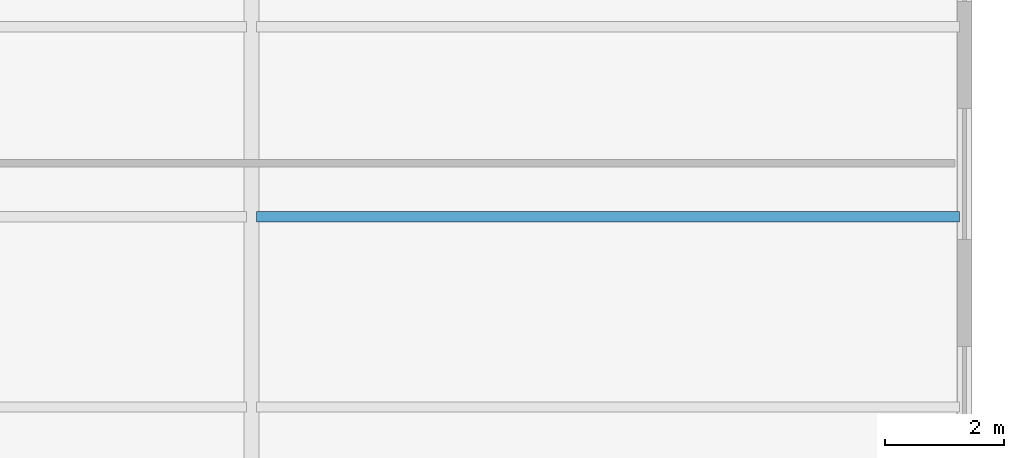
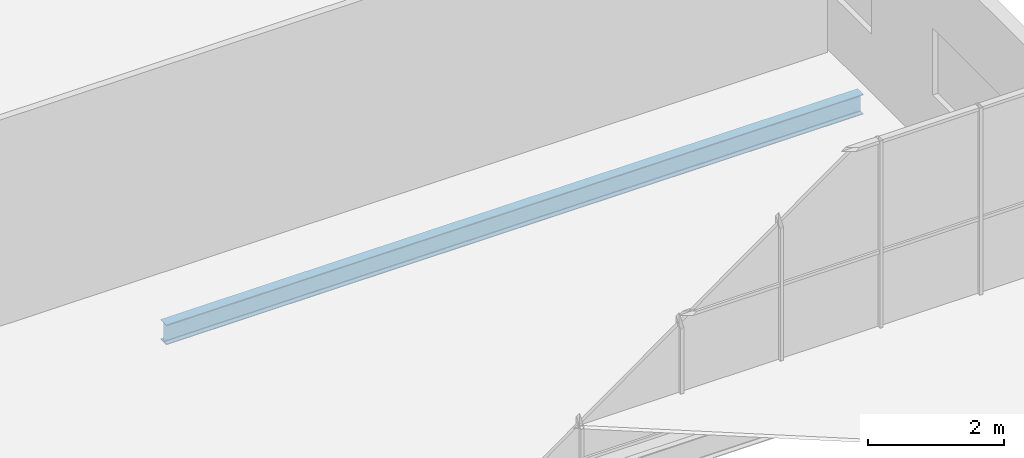
# One storey, part 190 of 324: 1 beam.
"""IFC4 building model written with IfcOpenShell, lengths in metres."""

import ifcopenshell
import ifcopenshell.guid

model = None  # the IFC model being written
_history = None  # IfcOwnerHistory: only IFC2X3 demands one
_inside = {}  # id of a spatial element -> (the spatial element, [elements in it])
_under = {}  # id of a project, library or spatial element -> (it, [spatial elements below it])
_declared = {}  # id of a project -> (the project, [libraries it declares])
_typed = {}  # id of a type object -> (the type object, [elements of that type])
_made_of = {}  # id of a material, layer set ... -> (it, [elements and type objects made of it])


def new_model(schema):
    """Start an empty IFC model of exactly this schema.

    Asked for "IFC4X3", IfcOpenShell would pick the latest addendum, in which some entities
    have other attributes; the version numbers below select the first issue.
    IFC2X3 requires an IfcOwnerHistory on every rooted entity: one is made here for all.
    """
    global model, _history
    if schema == "IFC4X3":
        model = ifcopenshell.file(schema_version=(4, 3, 0, 0))
    else:
        model = ifcopenshell.file(schema=schema)
    _inside.clear()
    _under.clear()
    _declared.clear()
    _typed.clear()
    _made_of.clear()
    _history = None
    if model.schema == "IFC2X3":
        org = make("IfcOrganization", Name="unknown")
        user = make(
            "IfcPersonAndOrganization",
            ThePerson=make("IfcPerson", FamilyName="unknown"),
            TheOrganization=org,
        )
        app = make(
            "IfcApplication",
            ApplicationDeveloper=org,
            Version="unknown",
            ApplicationFullName="unknown",
            ApplicationIdentifier="unknown",
        )
        _history = make(
            "IfcOwnerHistory",
            OwningUser=user,
            OwningApplication=app,
            ChangeAction="ADDED",
            CreationDate=0,
        )
    return model


def make(cls, **values):
    """One entity of the class cls with the attributes given. An attribute that is None is left unset."""
    return model.create_entity(
        cls, **{name: value for name, value in values.items() if value is not None}
    )


def rooted(cls, **values):
    """An entity with a GlobalId (a new one), such as an element, a storey or a relation."""
    return make(cls, GlobalId=ifcopenshell.guid.new(), OwnerHistory=_history, **values)


def si_unit(unit_type, name, prefix=None):
    """IfcSIUnit, for example si_unit("LENGTHUNIT", "METRE", prefix="MILLI")."""
    return make("IfcSIUnit", UnitType=unit_type, Prefix=prefix, Name=name)


def assignment(units):
    """IfcUnitAssignment: the units of a project."""
    return None if units is None else make("IfcUnitAssignment", Units=units)


def point(xyz):
    """IfcCartesianPoint."""
    return None if xyz is None else make("IfcCartesianPoint", Coordinates=xyz)


def direction(xyz):
    """IfcDirection."""
    return None if xyz is None else make("IfcDirection", DirectionRatios=xyz)


def frame(location, z_axis=None, x_axis=None):
    """IfcAxis2Placement3D, a coordinate frame: its origin and axes. An axis left out is left unset."""
    return make(
        "IfcAxis2Placement3D",
        Location=point(location),
        Axis=direction(z_axis),
        RefDirection=direction(x_axis),
    )


def frame_2d(location, x_axis=None):
    """IfcAxis2Placement2D, a coordinate frame in the plane: its origin and x axis."""
    return make(
        "IfcAxis2Placement2D", Location=point(location), RefDirection=direction(x_axis)
    )


def origin():
    """The frame at (0, 0, 0) with its axes left unset."""
    return frame((0.0, 0.0, 0.0))


def origin_2d():
    """The frame at (0, 0) in the plane with its x axis left unset."""
    return frame_2d((0.0, 0.0))


def place(relative_to, where):
    """IfcLocalPlacement: puts the frame where relative to a parent placement (None: the world)."""
    return make(
        "IfcLocalPlacement", PlacementRelTo=relative_to, RelativePlacement=where
    )


def context(
    kind, dimensions, precision=None, world=None, true_north=None, identifier=None
):
    """IfcGeometricRepresentationContext, for example the 3D "Model" context."""
    return make(
        "IfcGeometricRepresentationContext",
        ContextIdentifier=identifier,
        ContextType=kind,
        CoordinateSpaceDimension=dimensions,
        Precision=precision,
        WorldCoordinateSystem=world,
        TrueNorth=true_north,
    )


def subcontext(parent, identifier, kind, view, scale=None):
    """IfcGeometricRepresentationSubContext, for example "Body" below "Model"."""
    return make(
        "IfcGeometricRepresentationSubContext",
        ContextIdentifier=identifier,
        ContextType=kind,
        ParentContext=parent,
        TargetScale=scale,
        TargetView=view,
    )


def project(units=None, contexts=None):
    """IfcProject with its units and contexts."""
    return rooted(
        "IfcProject",
        Name="project",
        RepresentationContexts=contexts,
        UnitsInContext=assignment(units),
    )


def spatial(cls, under=None, at=None, **own):
    """A site, building, storey or space (cls), placed at a placement, below another one or the project."""
    s = rooted(cls, ObjectPlacement=at, **own)
    if under is not None:
        _under.setdefault(under.id(), (under, []))[1].append(s)
    return s


def profile(cls, at=None, kind="AREA", **sizes):
    """A parametric profile (cls). Its sizes go by their IFC names, for example OverallWidth=200.0."""
    return make(cls, ProfileType=kind, Position=at, **sizes)


def i_section(**sizes):
    """IfcIShapeProfileDef."""
    return profile("IfcIShapeProfileDef", **sizes)


def extrude(swept, where, along, depth):
    """IfcExtrudedAreaSolid: the profile swept, set in the frame where, extruded along a direction by depth."""
    return make(
        "IfcExtrudedAreaSolid",
        SweptArea=swept,
        Position=where,
        ExtrudedDirection=direction(along),
        Depth=depth,
    )


def shape(context_of_items, identifier, shape_type, items):
    """IfcShapeRepresentation: the items that make up one representation, for example the "Body"."""
    return make(
        "IfcShapeRepresentation",
        ContextOfItems=context_of_items,
        RepresentationIdentifier=identifier,
        RepresentationType=shape_type,
        Items=items,
    )


def material(Name=None, Category=None):
    """IfcMaterial."""
    return make("IfcMaterial", Name=Name, Category=Category)


def material_profile(
    of_material, cross_section, Name=None, Category=None, Priority=None
):
    """IfcMaterialProfile: a cross section and its material."""
    return make(
        "IfcMaterialProfile",
        Name=Name,
        Material=of_material,
        Profile=cross_section,
        Priority=Priority,
        Category=Category,
    )


def profile_set(profiles, Name=None, composite=None):
    """IfcMaterialProfileSet."""
    return make(
        "IfcMaterialProfileSet",
        Name=Name,
        MaterialProfiles=profiles,
        CompositeProfile=composite,
    )


def made_of(thing, what):
    """Note that an element or type object is made of a material, layer set ...; save() writes the relation."""
    if what is not None:
        _made_of.setdefault(what.id(), (what, []))[1].append(thing)
    return thing


def type_object(cls, material=None, **own):
    """A type object (cls), such as IfcWallType, which elements share."""
    return made_of(rooted(cls, **own), material)


def element(
    cls,
    number,
    at=None,
    inside=None,
    cuts=None,
    type_object=None,
    material=None,
    context=None,
    identifier="Body",
    shape_type=None,
    held_by="IfcProductDefinitionShape",
    body=None,
    shapes=None,
    **own,
):
    """One element of the class cls, such as IfcWall. Its Tag is "e" and its number.

    at: its placement. inside: the storey or other place that contains it. cuts: it is an
    opening in that element (IfcRelVoidsElement). A single representation is given by context,
    identifier, shape_type and body (its items); several are given by shapes. held_by: the class
    of the entity that holds the representations. save() writes the other relations.
    """
    e = rooted(cls, Tag="e%d" % number, ObjectPlacement=at, **own)
    if body is not None:
        shapes = [shape(context, identifier, shape_type, body)]
    if shapes is not None:
        e.Representation = make(held_by, Representations=shapes)
    if inside is not None:
        _inside.setdefault(inside.id(), (inside, []))[1].append(e)
    if cuts is not None:
        rooted(
            "IfcRelVoidsElement", RelatingBuildingElement=cuts, RelatedOpeningElement=e
        )
    if type_object is not None:
        _typed.setdefault(type_object.id(), (type_object, []))[1].append(e)
    return made_of(e, material)


def aggregate(whole, parts):
    """IfcRelAggregates: a whole, such as a stair, and the parts it consists of."""
    return rooted("IfcRelAggregates", RelatingObject=whole, RelatedObjects=parts)


def save(model, path):
    """Write the relations noted so far, then the file.

    IfcRelAggregates (storeys below a building ...), IfcRelContainedInSpatialStructure (elements
    in a storey), IfcRelDefinesByType, IfcRelAssociatesMaterial and IfcRelDeclares: one each for
    every whole, place, type object, material and project.
    """
    for whole, parts in _under.values():
        aggregate(whole, parts)
    for where, things in _inside.values():
        rooted(
            "IfcRelContainedInSpatialStructure",
            RelatedElements=things,
            RelatingStructure=where,
        )
    for kind, things in _typed.values():
        rooted("IfcRelDefinesByType", RelatedObjects=things, RelatingType=kind)
    for what, things in _made_of.values():
        rooted("IfcRelAssociatesMaterial", RelatedObjects=things, RelatingMaterial=what)
    for by, libraries in _declared.values():
        rooted("IfcRelDeclares", RelatingContext=by, RelatedDefinitions=libraries)
    model.write(path)


model = new_model("IFC4")

# Units and contexts
model_context = context("Model", 3, precision=1e-05, world=origin(), true_north=direction((0.0, 1.0)))
body_context = subcontext(model_context, "Body", "Model", "MODEL_VIEW")
ifc_project = project(units=[si_unit("LENGTHUNIT", "METRE"), si_unit("AREAUNIT", "SQUARE_METRE"), si_unit("VOLUMEUNIT", "CUBIC_METRE"), si_unit("PLANEANGLEUNIT", "RADIAN"), si_unit("MASSUNIT", "GRAM", prefix="KILO")], contexts=[model_context])

# Site, building, storey
site_placement = place(None, origin())
site = spatial("IfcSite", under=ifc_project, at=site_placement, CompositionType="ELEMENT")
building_placement = place(site_placement, origin())
building = spatial("IfcBuilding", under=site, at=building_placement, Name="Solvenia Promenade Tram Depot", CompositionType="ELEMENT")
storey_placement = place(building_placement, frame((0.0, 0.0, 4.5)))
storey = spatial("IfcBuildingStorey", under=building, at=storey_placement, Name="L01", CompositionType="ELEMENT", Elevation=4.5)

# Beam
ifc_material = material(Name="Structural steel ASTM A992 Gr. 50", Category="steel")
ifc_material_profile = material_profile(ifc_material, i_section(OverallWidth=0.172119140625, OverallDepth=0.35791015625, WebThickness=0.0078125, FlangeThickness=0.01318359375, FilletRadius=0.010986328125, at=origin_2d()), Name="W360x57", Category="steel")
ifc_profile_set = profile_set([ifc_material_profile], Name="Structural steel ASTM A992 Gr. 50")
beam_type = type_object("IfcBeamType", Name="Joist-W360x57", PredefinedType="JOIST", material=ifc_profile_set)
beam_placement = place(storey_placement, frame((174.0849609375, 14.39990234375, -0.39892578125), z_axis=(1.0, 0.0, 0.0), x_axis=(0.0, 1.0, 0.0)))
element("IfcBeam", 1, at=beam_placement, inside=storey, type_object=beam_type, Name="Secondary Floor Joist BM-L01-0445", PredefinedType="JOIST", context=body_context, shape_type="SweptSolid", body=[
    extrude(i_section(OverallWidth=0.172119140625, OverallDepth=0.35791015625, WebThickness=0.0078125, FlangeThickness=0.01318359375, FilletRadius=0.010986328125, at=origin_2d()), origin(), (0.0, 0.0, 1.0), 11.830078125),
])

save(model, "model.ifc")
